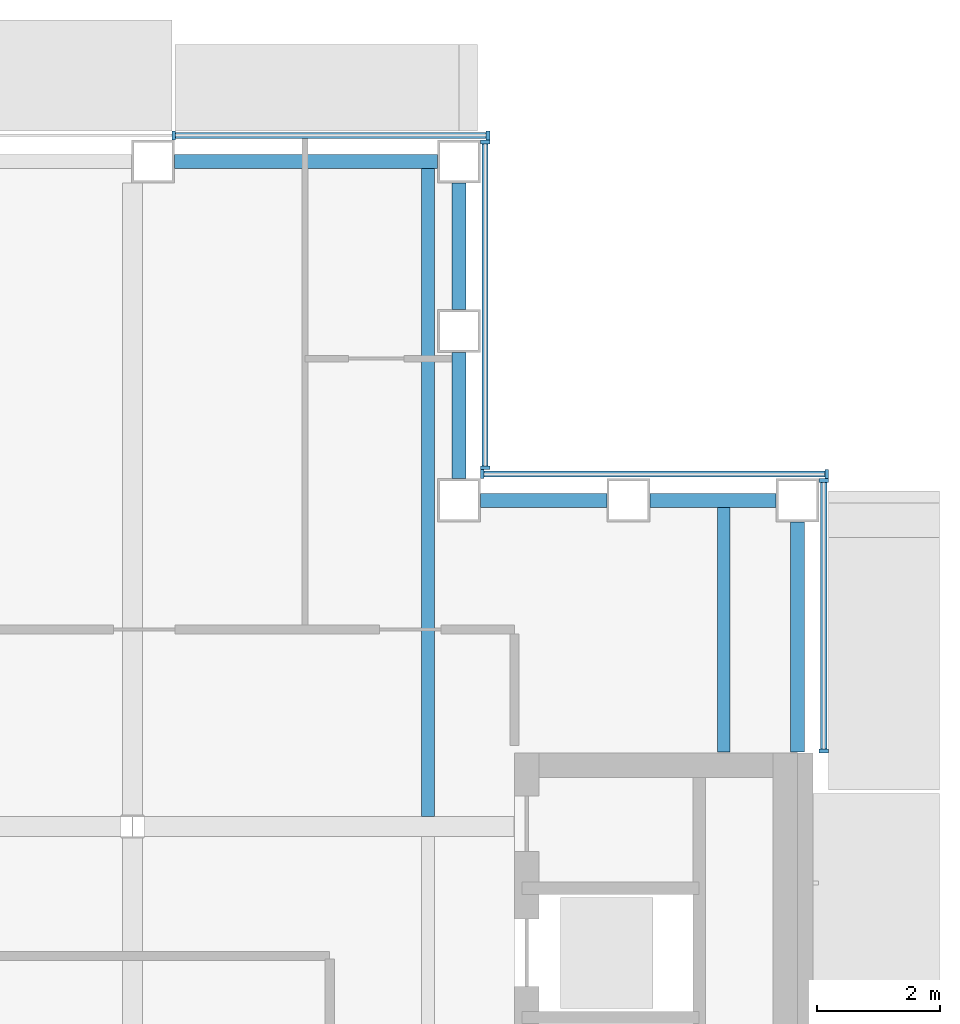
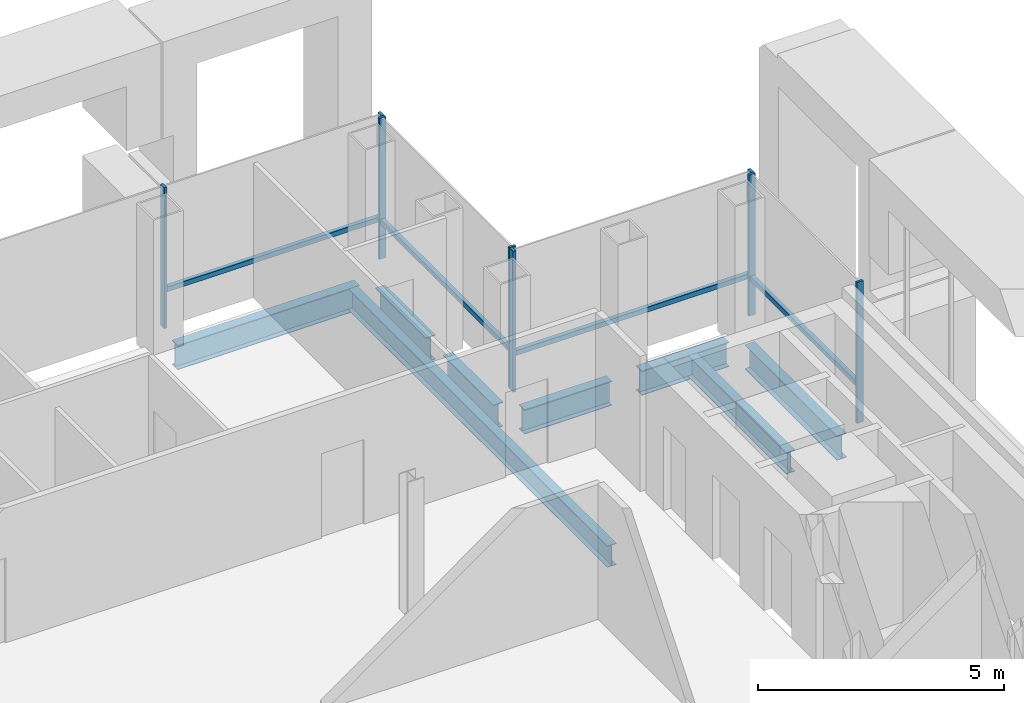
# One storey, part 7 of 19: 12 members, 8 beams, 4 elements without a shape of their own.
"""IFC4 building model written with IfcOpenShell, lengths in metres."""

from ifc_helpers import new_model, si_unit, direction, frame, origin, origin_2d, place, context, subcontext, project, spatial, rectangle, i_section, extrude, material, material_profile, profile_set, type_object, element, aggregate, save


model = new_model("IFC4")

# Units and contexts
model_context = context("Model", 3, precision=1e-05, world=origin(), true_north=direction((0.0, 1.0)))
body_context = subcontext(model_context, "Body", "Model", "MODEL_VIEW")
ifc_project = project(units=[si_unit("LENGTHUNIT", "METRE"), si_unit("AREAUNIT", "SQUARE_METRE"), si_unit("VOLUMEUNIT", "CUBIC_METRE"), si_unit("PLANEANGLEUNIT", "RADIAN"), si_unit("MASSUNIT", "GRAM", prefix="KILO")], contexts=[model_context])

# Site, building, storey
site_placement = place(None, origin())
site = spatial("IfcSite", under=ifc_project, at=site_placement, CompositionType="ELEMENT")
building_placement = place(site_placement, origin())
building = spatial("IfcBuilding", under=site, at=building_placement, Name="Cobrizo Arcos Hotel Tower", CompositionType="ELEMENT")
storey_placement = place(building_placement, frame((0.0, 0.0, 205.0)))
storey = spatial("IfcBuildingStorey", under=building, at=storey_placement, Name="L53", CompositionType="ELEMENT", Elevation=205.0)

# Curtain wall, members
ifc_material_1 = material(Name="Aluminium 6063-T6 anodised bronze", Category="aluminium")
curtain_wall_type = type_object("IfcCurtainWallType", Name="CW-A guest facade", PredefinedType="NOTDEFINED", material=ifc_material_1)
curtain_wall_1_placement = place(storey_placement, origin())
curtain_wall_1 = element("IfcCurtainWall", 1, at=curtain_wall_1_placement, inside=storey, type_object=curtain_wall_type, Name="CW-A L53 E face", PredefinedType="NOTDEFINED")
ifc_material_profile_1 = material_profile(ifc_material_1, rectangle(XDim=0.14990234375, YDim=0.06005859375, at=origin_2d()), Name="CW-A mullion 150x60")
ifc_profile_set_1 = profile_set([ifc_material_profile_1], Name="Aluminium 6063-T6 anodised bronze")
member_type_1 = type_object("IfcMemberType", Name="CW-A mullion 150x60", PredefinedType="MULLION", material=ifc_profile_set_1)
member_1_placement = place(storey_placement, frame((20.824951171875, 10.830078125, 0.0), z_axis=(0.0, 0.0, 1.0), x_axis=(1.0, 0.0, 0.0)))
member_1 = element("IfcMember", 2, at=member_1_placement, type_object=member_type_1, Name="CW-A mullion 1", PredefinedType="MULLION", context=body_context, shape_type="SweptSolid", body=[
    extrude(rectangle(XDim=0.14990234375, YDim=0.06005859375, at=origin_2d()), origin(), (0.0, 0.0, 1.0), 3.5),
])
member_2_placement = place(storey_placement, frame((20.824951171875, 15.219970703125, 0.0), z_axis=(0.0, 0.0, 1.0), x_axis=(1.0, 0.0, 0.0)))
member_2 = element("IfcMember", 3, at=member_2_placement, type_object=member_type_1, Name="CW-A mullion 2", PredefinedType="MULLION", context=body_context, shape_type="SweptSolid", body=[
    extrude(rectangle(XDim=0.14990234375, YDim=0.06005859375, at=origin_2d()), origin(), (0.0, 0.0, 1.0), 3.5),
])

curtain_wall_2_placement = place(storey_placement, origin())
curtain_wall_2 = element("IfcCurtainWall", 4, at=curtain_wall_2_placement, inside=storey, type_object=curtain_wall_type, Name="CW-A L53 N face", PredefinedType="NOTDEFINED")
member_3_placement = place(storey_placement, frame((20.8701171875, 15.324951171875, 0.0), z_axis=(0.0, 0.0, 1.0), x_axis=(0.0, 1.0, 0.0)))
member_3 = element("IfcMember", 5, at=member_3_placement, type_object=member_type_1, Name="CW-A mullion 1", PredefinedType="MULLION", context=body_context, shape_type="SweptSolid", body=[
    extrude(rectangle(XDim=0.14990234375, YDim=0.06005859375, at=origin_2d()), origin(), (0.0, 0.0, 1.0), 3.5),
])
member_4_placement = place(storey_placement, frame((15.280029296875, 15.324951171875, 0.0), z_axis=(0.0, 0.0, 1.0), x_axis=(0.0, 1.0, 0.0)))
member_4 = element("IfcMember", 6, at=member_4_placement, type_object=member_type_1, Name="CW-A mullion 2", PredefinedType="MULLION", context=body_context, shape_type="SweptSolid", body=[
    extrude(rectangle(XDim=0.14990234375, YDim=0.06005859375, at=origin_2d()), origin(), (0.0, 0.0, 1.0), 3.5),
])

curtain_wall_3_placement = place(storey_placement, origin())
curtain_wall_3 = element("IfcCurtainWall", 7, at=curtain_wall_3_placement, inside=storey, type_object=curtain_wall_type, Name="CW-A L53 E face", PredefinedType="NOTDEFINED")
member_5_placement = place(storey_placement, frame((15.324951171875, 15.429931640625, 0.0), z_axis=(0.0, 0.0, 1.0), x_axis=(1.0, 0.0, 0.0)))
member_5 = element("IfcMember", 8, at=member_5_placement, type_object=member_type_1, Name="CW-A mullion 1", PredefinedType="MULLION", context=body_context, shape_type="SweptSolid", body=[
    extrude(rectangle(XDim=0.14990234375, YDim=0.06005859375, at=origin_2d()), origin(), (0.0, 0.0, 1.0), 3.5),
])
member_6_placement = place(storey_placement, frame((15.324951171875, 20.719970703125, 0.0), z_axis=(0.0, 0.0, 1.0), x_axis=(1.0, 0.0, 0.0)))
member_6 = element("IfcMember", 9, at=member_6_placement, type_object=member_type_1, Name="CW-A mullion 2", PredefinedType="MULLION", context=body_context, shape_type="SweptSolid", body=[
    extrude(rectangle(XDim=0.14990234375, YDim=0.06005859375, at=origin_2d()), origin(), (0.0, 0.0, 1.0), 3.5),
])

curtain_wall_4_placement = place(storey_placement, origin())
curtain_wall_4 = element("IfcCurtainWall", 10, at=curtain_wall_4_placement, inside=storey, type_object=curtain_wall_type, Name="CW-A L53 N face", PredefinedType="NOTDEFINED")
member_7_placement = place(storey_placement, frame((15.3701171875, 20.824951171875, 0.0), z_axis=(0.0, 0.0, 1.0), x_axis=(0.0, 1.0, 0.0)))
member_7 = element("IfcMember", 11, at=member_7_placement, type_object=member_type_1, Name="CW-A mullion 1", PredefinedType="MULLION", context=body_context, shape_type="SweptSolid", body=[
    extrude(rectangle(XDim=0.14990234375, YDim=0.06005859375, at=origin_2d()), origin(), (0.0, 0.0, 1.0), 3.5),
])
member_8_placement = place(storey_placement, frame((10.2666015625, 20.824951171875, 0.0), z_axis=(0.0, 0.0, 1.0), x_axis=(0.0, 1.0, 0.0)))
member_8 = element("IfcMember", 12, at=member_8_placement, type_object=member_type_1, Name="CW-A mullion 2", PredefinedType="MULLION", context=body_context, shape_type="SweptSolid", body=[
    extrude(rectangle(XDim=0.14990234375, YDim=0.06005859375, at=origin_2d()), origin(), (0.0, 0.0, 1.0), 3.5),
])

# Member
ifc_material_profile_2 = material_profile(ifc_material_1, rectangle(XDim=0.10009765625, YDim=0.1201171875, at=origin_2d()), Name="CW-A transom 120x100")
ifc_profile_set_2 = profile_set([ifc_material_profile_2], Name="Aluminium 6063-T6 anodised bronze")
member_type_2 = type_object("IfcMemberType", Name="CW-A transom 120x100", PredefinedType="USERDEFINED", material=ifc_profile_set_2)
member_9_placement = place(storey_placement, frame((20.824951171875, 10.860107421875, 0.929931640625), z_axis=(0.0, 1.0, 0.0), x_axis=(-1.0, 0.0, 0.0)))
member_9 = element("IfcMember", 13, at=member_9_placement, type_object=member_type_2, Name="CW-A transom 1801", ObjectType="TRANSOM", PredefinedType="USERDEFINED", context=body_context, shape_type="SweptSolid", body=[
    extrude(rectangle(XDim=0.10009765625, YDim=0.1201171875, at=origin_2d()), origin(), (0.0, 0.0, 1.0), 4.329833984375),
])

aggregate(curtain_wall_1, [member_1, member_2, member_9])

member_10_placement = place(storey_placement, frame((20.840087890625, 15.324951171875, 0.929931640625), z_axis=(-1.0, 0.0, 0.0), x_axis=(0.0, -1.0, 0.0)))
member_10 = element("IfcMember", 14, at=member_10_placement, type_object=member_type_2, Name="CW-A transom 1802", ObjectType="TRANSOM", PredefinedType="USERDEFINED", context=body_context, shape_type="SweptSolid", body=[
    extrude(rectangle(XDim=0.10009765625, YDim=0.1201171875, at=origin_2d()), origin(), (0.0, 0.0, 1.0), 5.530029296875),
])

aggregate(curtain_wall_2, [member_3, member_4, member_10])

member_11_placement = place(storey_placement, frame((15.324951171875, 15.4599609375, 0.929931640625), z_axis=(0.0, 1.0, 0.0), x_axis=(-1.0, 0.0, 0.0)))
member_11 = element("IfcMember", 15, at=member_11_placement, type_object=member_type_2, Name="CW-A transom 1803", ObjectType="TRANSOM", PredefinedType="USERDEFINED", context=body_context, shape_type="SweptSolid", body=[
    extrude(rectangle(XDim=0.10009765625, YDim=0.1201171875, at=origin_2d()), origin(), (0.0, 0.0, 1.0), 5.22998046875),
])

aggregate(curtain_wall_3, [member_5, member_6, member_11])

member_12_placement = place(storey_placement, frame((15.340087890625, 20.824951171875, 0.929931640625), z_axis=(-1.0, 0.0, 0.0), x_axis=(0.0, -1.0, 0.0)))
member_12 = element("IfcMember", 16, at=member_12_placement, type_object=member_type_2, Name="CW-A transom 1804", ObjectType="TRANSOM", PredefinedType="USERDEFINED", context=body_context, shape_type="SweptSolid", body=[
    extrude(rectangle(XDim=0.10009765625, YDim=0.1201171875, at=origin_2d()), origin(), (0.0, 0.0, 1.0), 5.04345703125),
])

aggregate(curtain_wall_4, [member_7, member_8, member_12])

# Beams
ifc_material_2 = material(Name="Steel ASTM A992 Grade 50", Category="steel")
ifc_material_profile_3 = material_profile(ifc_material_2, i_section(OverallWidth=0.209228515625, OverallDepth=0.533447265625, WebThickness=0.01025390625, FlangeThickness=0.015625, at=origin_2d()), Name="W21X62")
ifc_profile_set_3 = profile_set([ifc_material_profile_3], Name="Steel ASTM A992 Grade 50")
beam_type_1 = type_object("IfcBeamType", Name="W21X62 joist", PredefinedType="JOIST", material=ifc_profile_set_3)
beam_1_placement = place(storey_placement, frame((14.39990234375, 9.763916015625, -0.416748046875), z_axis=(0.0, 1.0, 0.0), x_axis=(-1.0, 0.0, 0.0)))
element("IfcBeam", 17, at=beam_1_placement, inside=storey, type_object=beam_type_1, Name="Floor joist J1, L53, no. 018", PredefinedType="JOIST", context=body_context, shape_type="SweptSolid", body=[
    extrude(i_section(OverallWidth=0.209228515625, OverallDepth=0.533447265625, WebThickness=0.01025390625, FlangeThickness=0.015625, at=origin_2d()), origin(), (0.0, 0.0, 1.0), 10.546142578125),
])
beam_2_placement = place(storey_placement, frame((19.199951171875, 10.81005859375, -0.416748046875), z_axis=(0.0, 1.0, 0.0), x_axis=(-1.0, 0.0, 0.0)))
element("IfcBeam", 18, at=beam_2_placement, inside=storey, type_object=beam_type_1, Name="Floor joist J1, L53, no. 020", PredefinedType="JOIST", context=body_context, shape_type="SweptSolid", body=[
    extrude(i_section(OverallWidth=0.209228515625, OverallDepth=0.533447265625, WebThickness=0.01025390625, FlangeThickness=0.015625, at=origin_2d()), origin(), (0.0, 0.0, 1.0), 4.0),
])
ifc_material_profile_4 = material_profile(ifc_material_2, i_section(OverallWidth=0.228271484375, OverallDepth=0.607177734375, WebThickness=0.01123046875, FlangeThickness=0.017333984375, at=origin_2d()), Name="W24X76")
ifc_profile_set_4 = profile_set([ifc_material_profile_4], Name="Steel ASTM A992 Grade 50")
beam_type_2 = type_object("IfcBeamType", Name="W24X76 spandrel", PredefinedType="SPANDREL", material=ifc_profile_set_4)
beam_3_placement = place(storey_placement, frame((20.39990234375, 10.81005859375, -0.45361328125), z_axis=(0.0, 1.0, 0.0), x_axis=(-1.0, 0.0, 0.0)))
element("IfcBeam", 19, at=beam_3_placement, inside=storey, type_object=beam_type_2, Name="Spandrel beam W24X76, L53, no. 012", PredefinedType="SPANDREL", context=body_context, shape_type="SweptSolid", body=[
    extrude(i_section(OverallWidth=0.228271484375, OverallDepth=0.607177734375, WebThickness=0.01123046875, FlangeThickness=0.017333984375, at=origin_2d()), origin(), (0.0, 0.0, 1.0), 3.739990234375),
])
for number, where, z_axis, x_axis, name in (
    (20, (20.050048828125, 14.89990234375, -0.45361328125), (-1.0, 0.0, 0.0), (0.0, -1.0, 0.0), "Spandrel beam W24X76, L53, no. 013"),
    (21, (17.300048828125, 14.89990234375, -0.45361328125), (-1.0, 0.0, 0.0), (0.0, -1.0, 0.0), "Spandrel beam W24X76, L53, no. 014"),
    (22, (14.89990234375, 15.25, -0.45361328125), (0.0, 1.0, 0.0), (-1.0, 0.0, 0.0), "Spandrel beam W24X76, L53, no. 015"),
    (23, (14.89990234375, 18.0, -0.45361328125), (0.0, 1.0, 0.0), (-1.0, 0.0, 0.0), "Spandrel beam W24X76, L53, no. 016"),
):
    element("IfcBeam", number, at=place(storey_placement, frame(where, z_axis=z_axis, x_axis=x_axis)), inside=storey, type_object=beam_type_2, Name=name, PredefinedType="SPANDREL", context=body_context, shape_type="SweptSolid", body=[
        extrude(i_section(OverallWidth=0.228271484375, OverallDepth=0.607177734375, WebThickness=0.01123046875, FlangeThickness=0.017333984375, at=origin_2d()), origin(), (0.0, 0.0, 1.0), 2.050048828125),
    ])
beam_4_placement = place(storey_placement, frame((14.550048828125, 20.39990234375, -0.45361328125), z_axis=(-1.0, 0.0, 0.0), x_axis=(0.0, -1.0, 0.0)))
element("IfcBeam", 24, at=beam_4_placement, inside=storey, type_object=beam_type_2, Name="Spandrel beam W24X76, L53, no. 017", PredefinedType="SPANDREL", context=body_context, shape_type="SweptSolid", body=[
    extrude(i_section(OverallWidth=0.228271484375, OverallDepth=0.607177734375, WebThickness=0.01123046875, FlangeThickness=0.017333984375, at=origin_2d()), origin(), (0.0, 0.0, 1.0), 4.26708984375),
])

save(model, "model.ifc")
